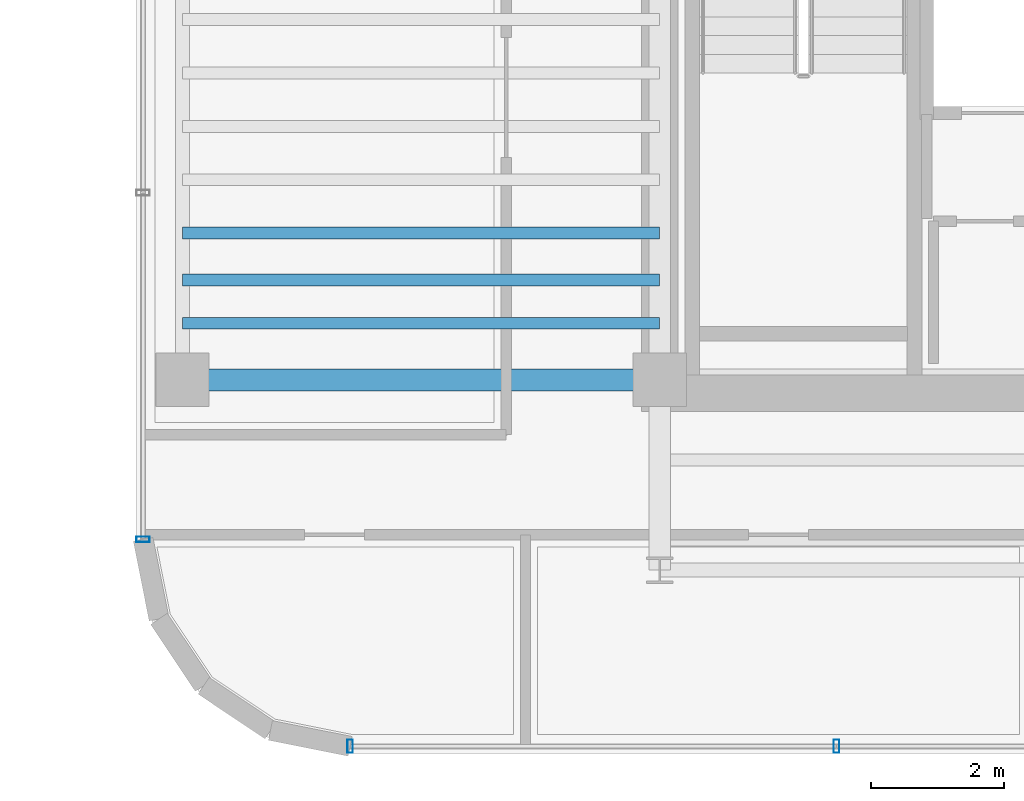
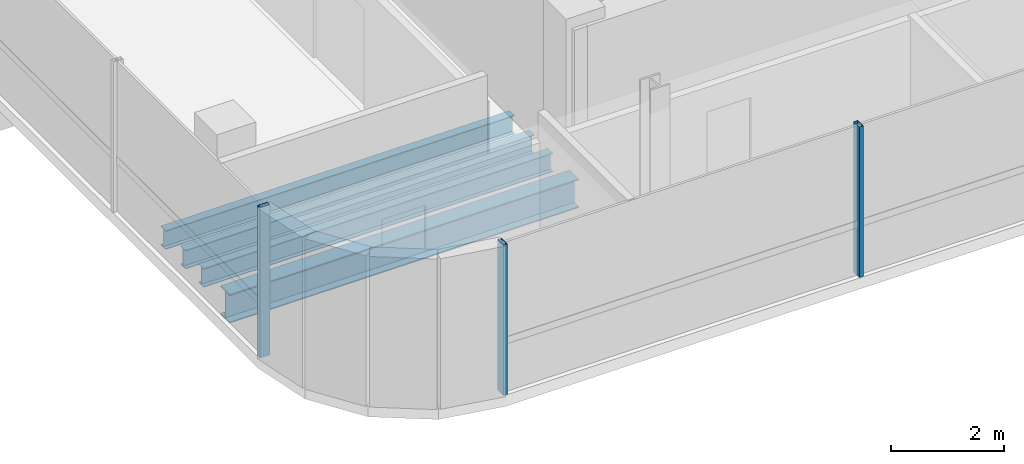
# One storey, part 2 of 18: 4 beams, 3 members, 2 elements without a shape of their own.
"""IFC4 building model written with IfcOpenShell, lengths in metres."""

import ifcopenshell
import ifcopenshell.guid

model = None  # the IFC model being written
_history = None  # IfcOwnerHistory: only IFC2X3 demands one
_inside = {}  # id of a spatial element -> (the spatial element, [elements in it])
_under = {}  # id of a project, library or spatial element -> (it, [spatial elements below it])
_declared = {}  # id of a project -> (the project, [libraries it declares])
_typed = {}  # id of a type object -> (the type object, [elements of that type])
_made_of = {}  # id of a material, layer set ... -> (it, [elements and type objects made of it])


def new_model(schema):
    """Start an empty IFC model of exactly this schema.

    Asked for "IFC4X3", IfcOpenShell would pick the latest addendum, in which some entities
    have other attributes; the version numbers below select the first issue.
    IFC2X3 requires an IfcOwnerHistory on every rooted entity: one is made here for all.
    """
    global model, _history
    if schema == "IFC4X3":
        model = ifcopenshell.file(schema_version=(4, 3, 0, 0))
    else:
        model = ifcopenshell.file(schema=schema)
    _inside.clear()
    _under.clear()
    _declared.clear()
    _typed.clear()
    _made_of.clear()
    _history = None
    if model.schema == "IFC2X3":
        org = make("IfcOrganization", Name="unknown")
        user = make(
            "IfcPersonAndOrganization",
            ThePerson=make("IfcPerson", FamilyName="unknown"),
            TheOrganization=org,
        )
        app = make(
            "IfcApplication",
            ApplicationDeveloper=org,
            Version="unknown",
            ApplicationFullName="unknown",
            ApplicationIdentifier="unknown",
        )
        _history = make(
            "IfcOwnerHistory",
            OwningUser=user,
            OwningApplication=app,
            ChangeAction="ADDED",
            CreationDate=0,
        )
    return model


def make(cls, **values):
    """One entity of the class cls with the attributes given. An attribute that is None is left unset."""
    return model.create_entity(
        cls, **{name: value for name, value in values.items() if value is not None}
    )


def rooted(cls, **values):
    """An entity with a GlobalId (a new one), such as an element, a storey or a relation."""
    return make(cls, GlobalId=ifcopenshell.guid.new(), OwnerHistory=_history, **values)


def si_unit(unit_type, name, prefix=None):
    """IfcSIUnit, for example si_unit("LENGTHUNIT", "METRE", prefix="MILLI")."""
    return make("IfcSIUnit", UnitType=unit_type, Prefix=prefix, Name=name)


def assignment(units):
    """IfcUnitAssignment: the units of a project."""
    return None if units is None else make("IfcUnitAssignment", Units=units)


def point(xyz):
    """IfcCartesianPoint."""
    return None if xyz is None else make("IfcCartesianPoint", Coordinates=xyz)


def direction(xyz):
    """IfcDirection."""
    return None if xyz is None else make("IfcDirection", DirectionRatios=xyz)


def frame(location, z_axis=None, x_axis=None):
    """IfcAxis2Placement3D, a coordinate frame: its origin and axes. An axis left out is left unset."""
    return make(
        "IfcAxis2Placement3D",
        Location=point(location),
        Axis=direction(z_axis),
        RefDirection=direction(x_axis),
    )


def frame_2d(location, x_axis=None):
    """IfcAxis2Placement2D, a coordinate frame in the plane: its origin and x axis."""
    return make(
        "IfcAxis2Placement2D", Location=point(location), RefDirection=direction(x_axis)
    )


def origin():
    """The frame at (0, 0, 0) with its axes left unset."""
    return frame((0.0, 0.0, 0.0))


def origin_2d():
    """The frame at (0, 0) in the plane with its x axis left unset."""
    return frame_2d((0.0, 0.0))


def place(relative_to, where):
    """IfcLocalPlacement: puts the frame where relative to a parent placement (None: the world)."""
    return make(
        "IfcLocalPlacement", PlacementRelTo=relative_to, RelativePlacement=where
    )


def context(
    kind, dimensions, precision=None, world=None, true_north=None, identifier=None
):
    """IfcGeometricRepresentationContext, for example the 3D "Model" context."""
    return make(
        "IfcGeometricRepresentationContext",
        ContextIdentifier=identifier,
        ContextType=kind,
        CoordinateSpaceDimension=dimensions,
        Precision=precision,
        WorldCoordinateSystem=world,
        TrueNorth=true_north,
    )


def subcontext(parent, identifier, kind, view, scale=None):
    """IfcGeometricRepresentationSubContext, for example "Body" below "Model"."""
    return make(
        "IfcGeometricRepresentationSubContext",
        ContextIdentifier=identifier,
        ContextType=kind,
        ParentContext=parent,
        TargetScale=scale,
        TargetView=view,
    )


def project(units=None, contexts=None):
    """IfcProject with its units and contexts."""
    return rooted(
        "IfcProject",
        Name="project",
        RepresentationContexts=contexts,
        UnitsInContext=assignment(units),
    )


def spatial(cls, under=None, at=None, **own):
    """A site, building, storey or space (cls), placed at a placement, below another one or the project."""
    s = rooted(cls, ObjectPlacement=at, **own)
    if under is not None:
        _under.setdefault(under.id(), (under, []))[1].append(s)
    return s


def profile(cls, at=None, kind="AREA", **sizes):
    """A parametric profile (cls). Its sizes go by their IFC names, for example OverallWidth=200.0."""
    return make(cls, ProfileType=kind, Position=at, **sizes)


def hollow_rectangle(**sizes):
    """IfcRectangleHollowProfileDef."""
    return profile("IfcRectangleHollowProfileDef", **sizes)


def i_section(**sizes):
    """IfcIShapeProfileDef."""
    return profile("IfcIShapeProfileDef", **sizes)


def extrude(swept, where, along, depth):
    """IfcExtrudedAreaSolid: the profile swept, set in the frame where, extruded along a direction by depth."""
    return make(
        "IfcExtrudedAreaSolid",
        SweptArea=swept,
        Position=where,
        ExtrudedDirection=direction(along),
        Depth=depth,
    )


def shape(context_of_items, identifier, shape_type, items):
    """IfcShapeRepresentation: the items that make up one representation, for example the "Body"."""
    return make(
        "IfcShapeRepresentation",
        ContextOfItems=context_of_items,
        RepresentationIdentifier=identifier,
        RepresentationType=shape_type,
        Items=items,
    )


def source(mapping_origin, context_of_items, identifier, shape_type, items):
    """IfcRepresentationMap: a shape defined once, which mapped items show again and again."""
    return make(
        "IfcRepresentationMap",
        MappingOrigin=mapping_origin,
        MappedRepresentation=shape(context_of_items, identifier, shape_type, items),
    )


def transform(
    local_origin,
    x_axis=None,
    y_axis=None,
    z_axis=None,
    scale=None,
    scale2=None,
    scale3=None,
    uniform=True,
):
    """IfcCartesianTransformationOperator3D, or its non-uniform kind. x_axis, y_axis, z_axis: its Axis1, 2, 3."""
    if uniform:
        return make(
            "IfcCartesianTransformationOperator3D",
            Axis1=direction(x_axis),
            Axis2=direction(y_axis),
            LocalOrigin=point(local_origin),
            Scale=scale,
            Axis3=direction(z_axis),
        )
    return make(
        "IfcCartesianTransformationOperator3DnonUniform",
        Axis1=direction(x_axis),
        Axis2=direction(y_axis),
        LocalOrigin=point(local_origin),
        Scale=scale,
        Axis3=direction(z_axis),
        Scale2=scale2,
        Scale3=scale3,
    )


def mapped(mapping_source, mapping_target):
    """IfcMappedItem: shows the shape of a source again, moved by a transform."""
    return make(
        "IfcMappedItem", MappingSource=mapping_source, MappingTarget=mapping_target
    )


def material(Name=None, Category=None):
    """IfcMaterial."""
    return make("IfcMaterial", Name=Name, Category=Category)


def material_profile(
    of_material, cross_section, Name=None, Category=None, Priority=None
):
    """IfcMaterialProfile: a cross section and its material."""
    return make(
        "IfcMaterialProfile",
        Name=Name,
        Material=of_material,
        Profile=cross_section,
        Priority=Priority,
        Category=Category,
    )


def profile_set(profiles, Name=None, composite=None):
    """IfcMaterialProfileSet."""
    return make(
        "IfcMaterialProfileSet",
        Name=Name,
        MaterialProfiles=profiles,
        CompositeProfile=composite,
    )


def made_of(thing, what):
    """Note that an element or type object is made of a material, layer set ...; save() writes the relation."""
    if what is not None:
        _made_of.setdefault(what.id(), (what, []))[1].append(thing)
    return thing


def type_object(cls, material=None, **own):
    """A type object (cls), such as IfcWallType, which elements share."""
    return made_of(rooted(cls, **own), material)


def element(
    cls,
    number,
    at=None,
    inside=None,
    cuts=None,
    type_object=None,
    material=None,
    context=None,
    identifier="Body",
    shape_type=None,
    held_by="IfcProductDefinitionShape",
    body=None,
    shapes=None,
    **own,
):
    """One element of the class cls, such as IfcWall. Its Tag is "e" and its number.

    at: its placement. inside: the storey or other place that contains it. cuts: it is an
    opening in that element (IfcRelVoidsElement). A single representation is given by context,
    identifier, shape_type and body (its items); several are given by shapes. held_by: the class
    of the entity that holds the representations. save() writes the other relations.
    """
    e = rooted(cls, Tag="e%d" % number, ObjectPlacement=at, **own)
    if body is not None:
        shapes = [shape(context, identifier, shape_type, body)]
    if shapes is not None:
        e.Representation = make(held_by, Representations=shapes)
    if inside is not None:
        _inside.setdefault(inside.id(), (inside, []))[1].append(e)
    if cuts is not None:
        rooted(
            "IfcRelVoidsElement", RelatingBuildingElement=cuts, RelatedOpeningElement=e
        )
    if type_object is not None:
        _typed.setdefault(type_object.id(), (type_object, []))[1].append(e)
    return made_of(e, material)


def aggregate(whole, parts):
    """IfcRelAggregates: a whole, such as a stair, and the parts it consists of."""
    return rooted("IfcRelAggregates", RelatingObject=whole, RelatedObjects=parts)


def save(model, path):
    """Write the relations noted so far, then the file.

    IfcRelAggregates (storeys below a building ...), IfcRelContainedInSpatialStructure (elements
    in a storey), IfcRelDefinesByType, IfcRelAssociatesMaterial and IfcRelDeclares: one each for
    every whole, place, type object, material and project.
    """
    for whole, parts in _under.values():
        aggregate(whole, parts)
    for where, things in _inside.values():
        rooted(
            "IfcRelContainedInSpatialStructure",
            RelatedElements=things,
            RelatingStructure=where,
        )
    for kind, things in _typed.values():
        rooted("IfcRelDefinesByType", RelatedObjects=things, RelatingType=kind)
    for what, things in _made_of.values():
        rooted("IfcRelAssociatesMaterial", RelatedObjects=things, RelatingMaterial=what)
    for by, libraries in _declared.values():
        rooted("IfcRelDeclares", RelatingContext=by, RelatedDefinitions=libraries)
    model.write(path)


model = new_model("IFC4")

# Units and contexts
model_context = context("Model", 3, precision=1e-05, world=origin(), true_north=direction((0.0, 1.0)))
body_context = subcontext(model_context, "Body", "Model", "MODEL_VIEW")
ifc_project = project(units=[si_unit("LENGTHUNIT", "METRE"), si_unit("AREAUNIT", "SQUARE_METRE"), si_unit("VOLUMEUNIT", "CUBIC_METRE"), si_unit("PLANEANGLEUNIT", "RADIAN"), si_unit("MASSUNIT", "GRAM", prefix="KILO")], contexts=[model_context])

# Site, building, storey
site_placement = place(None, origin())
site = spatial("IfcSite", under=ifc_project, at=site_placement, CompositionType="ELEMENT")
building_placement = place(site_placement, origin())
building = spatial("IfcBuilding", under=site, at=building_placement, Name="Valdorenza Pilgrim Sanctuary Tower", CompositionType="ELEMENT")
storey_placement = place(building_placement, frame((0.0, 0.0, 273.0)))
storey = spatial("IfcBuildingStorey", under=building, at=storey_placement, Name="L71", CompositionType="ELEMENT", Elevation=273.0)

# Beams
ifc_material_1 = material(Name="Steel ASTM A992 Grade 50", Category="steel")
ifc_material_profile_1 = material_profile(ifc_material_1, i_section(OverallWidth=0.177978515625, OverallDepth=0.406005859375, WebThickness=0.0078125, FlangeThickness=0.0126953125, at=origin_2d()), Name="W16X40")
ifc_profile_set_1 = profile_set([ifc_material_profile_1], Name="Steel ASTM A992 Grade 50")
beam_type_1 = type_object("IfcBeamType", Name="STR-BM-JST-W16", PredefinedType="JOIST", material=ifc_profile_set_1)
shared_shape_1 = source(origin(), body_context, "Body", "SweptSolid", [
    extrude(i_section(OverallWidth=0.177978515625, OverallDepth=0.406005859375, WebThickness=0.0078125, FlangeThickness=0.0126953125, at=origin_2d()), origin(), (0.0, 0.0, 1.0), 7.150146484375),
])
for number, where, z_axis, x_axis, name in (
    (1, (-29.800048828125, -9.75, -0.443115234375), (1.0, 0.0, 0.0), (0.0, 1.0, 0.0), "L71 Composite Floor Joist JST-WA-1"),
    (2, (-29.800048828125, -9.10009765625, -0.443115234375), (1.0, 0.0, 0.0), (0.0, 1.0, 0.0), "L71 Composite Floor Joist JST-WA-2"),
    (3, (-29.800048828125, -8.39990234375, -0.443115234375), (1.0, 0.0, 0.0), (0.0, 1.0, 0.0), "L71 Composite Floor Joist JST-WA-3"),
):
    element("IfcBeam", number, at=place(storey_placement, frame(where, z_axis=z_axis, x_axis=x_axis)), inside=storey, type_object=beam_type_1, Name=name, PredefinedType="JOIST", context=body_context, shape_type="MappedRepresentation", body=[
        mapped(shared_shape_1, transform((0.0, 0.0, 0.0), x_axis=(1.0, 0.0, 0.0), y_axis=(0.0, 1.0, 0.0), z_axis=(0.0, 0.0, 1.0), scale=1.0)),
    ])
ifc_material_profile_2 = material_profile(ifc_material_1, i_section(OverallWidth=0.326904296875, OverallDepth=0.6220703125, WebThickness=0.015380859375, FlangeThickness=0.0244140625, at=origin_2d()), Name="W24X131")
ifc_profile_set_2 = profile_set([ifc_material_profile_2], Name="Steel ASTM A992 Grade 50")
beam_type_2 = type_object("IfcBeamType", Name="STR-BM-GRD-W24A", PredefinedType="BEAM", material=ifc_profile_set_2)
shared_shape_2 = source(origin(), body_context, "Body", "SweptSolid", [
    extrude(i_section(OverallWidth=0.326904296875, OverallDepth=0.6220703125, WebThickness=0.015380859375, FlangeThickness=0.0244140625, at=origin_2d()), origin(), (0.0, 0.0, 1.0), 7.150146484375),
])
beam_placement = place(storey_placement, frame((-29.800048828125, -10.60009765625, -0.551025390625), z_axis=(1.0, 0.0, 0.0), x_axis=(0.0, 1.0, 0.0)))
element("IfcBeam", 4, at=beam_placement, inside=storey, type_object=beam_type_2, Name="L71 Floor Girder WA-XW-S1", PredefinedType="BEAM", context=body_context, shape_type="MappedRepresentation", body=[
    mapped(shared_shape_2, transform((0.0, 0.0, 0.0), x_axis=(1.0, 0.0, 0.0), y_axis=(0.0, 1.0, 0.0), z_axis=(0.0, 0.0, 1.0), scale=1.0)),
])

# Curtain wall, member
ifc_material_2 = material(Name="Curtain-wall IGU glazing", Category="glass")
curtain_wall_type = type_object("IfcCurtainWallType", Name="CW-SYS-02", PredefinedType="NOTDEFINED", material=ifc_material_2)
curtain_wall_1_placement = place(storey_placement, origin())
curtain_wall_1 = element("IfcCurtainWall", 5, at=curtain_wall_1_placement, inside=storey, type_object=curtain_wall_type, Name="L71 Curtain Wall CW-L71-1-1S1", PredefinedType="NOTDEFINED")
ifc_material_3 = material(Name="Anodised aluminium AW-6060", Category="aluminium")
ifc_material_profile_3 = material_profile(ifc_material_3, hollow_rectangle(XDim=0.0849609375, YDim=0.199951171875, WallThickness=0.0048828125, at=origin_2d()), Name="ALU-M 200x85x5")
ifc_profile_set_3 = profile_set([ifc_material_profile_3], Name="Anodised aluminium AW-6060")
member_type = type_object("IfcMemberType", Name="CW-MUL-02", PredefinedType="MULLION", material=ifc_profile_set_3)
shared_shape_3 = source(origin(), body_context, "Body", "SweptSolid", [
    extrude(hollow_rectangle(XDim=0.0849609375, YDim=0.199951171875, WallThickness=0.0048828125, at=origin_2d()), origin(), (0.0, 0.0, 1.0), 3.260009765625),
])
member_1_placement = place(storey_placement, frame((-30.389892578125, -12.9892578125, 0.0), z_axis=(0.0, 0.0, 1.0), x_axis=(0.0, 1.0, 0.0)))
member_1 = element("IfcMember", 6, at=member_1_placement, type_object=member_type, Name="CW-L71-1-1S1 Mullion 1", PredefinedType="MULLION", context=body_context, shape_type="MappedRepresentation", body=[
    mapped(shared_shape_3, transform((0.0, 0.0, 0.0), x_axis=(1.0, 0.0, 0.0), y_axis=(0.0, 1.0, 0.0), z_axis=(0.0, 0.0, 1.0), scale=1.0)),
])
aggregate(curtain_wall_1, [member_1])

# Curtain wall, members
curtain_wall_2_placement = place(storey_placement, origin())
curtain_wall_2 = element("IfcCurtainWall", 7, at=curtain_wall_2_placement, inside=storey, type_object=curtain_wall_type, Name="L71 Curtain Wall CW-L71-1-26", PredefinedType="NOTDEFINED")
member_2_placement = place(storey_placement, frame((-20.0, -16.090087890625, 0.0), z_axis=(0.0, 0.0, 1.0), x_axis=(-1.0, 0.0, 0.0)))
member_2 = element("IfcMember", 8, at=member_2_placement, type_object=member_type, Name="CW-L71-1-26 Mullion 2", PredefinedType="MULLION", context=body_context, shape_type="MappedRepresentation", body=[
    mapped(shared_shape_3, transform((0.0, 0.0, 0.0), x_axis=(1.0, 0.0, 0.0), y_axis=(0.0, 1.0, 0.0), z_axis=(0.0, 0.0, 1.0), scale=1.0)),
])
member_3_placement = place(storey_placement, frame((-27.289306640625, -16.090087890625, 0.0), z_axis=(0.0, 0.0, 1.0), x_axis=(-1.0, 0.0, 0.0)))
member_3 = element("IfcMember", 9, at=member_3_placement, type_object=member_type, Name="CW-L71-1-26 Mullion 3", PredefinedType="MULLION", context=body_context, shape_type="MappedRepresentation", body=[
    mapped(shared_shape_3, transform((0.0, 0.0, 0.0), x_axis=(1.0, 0.0, 0.0), y_axis=(0.0, 1.0, 0.0), z_axis=(0.0, 0.0, 1.0), scale=1.0)),
])
aggregate(curtain_wall_2, [member_2, member_3])

save(model, "model.ifc")
